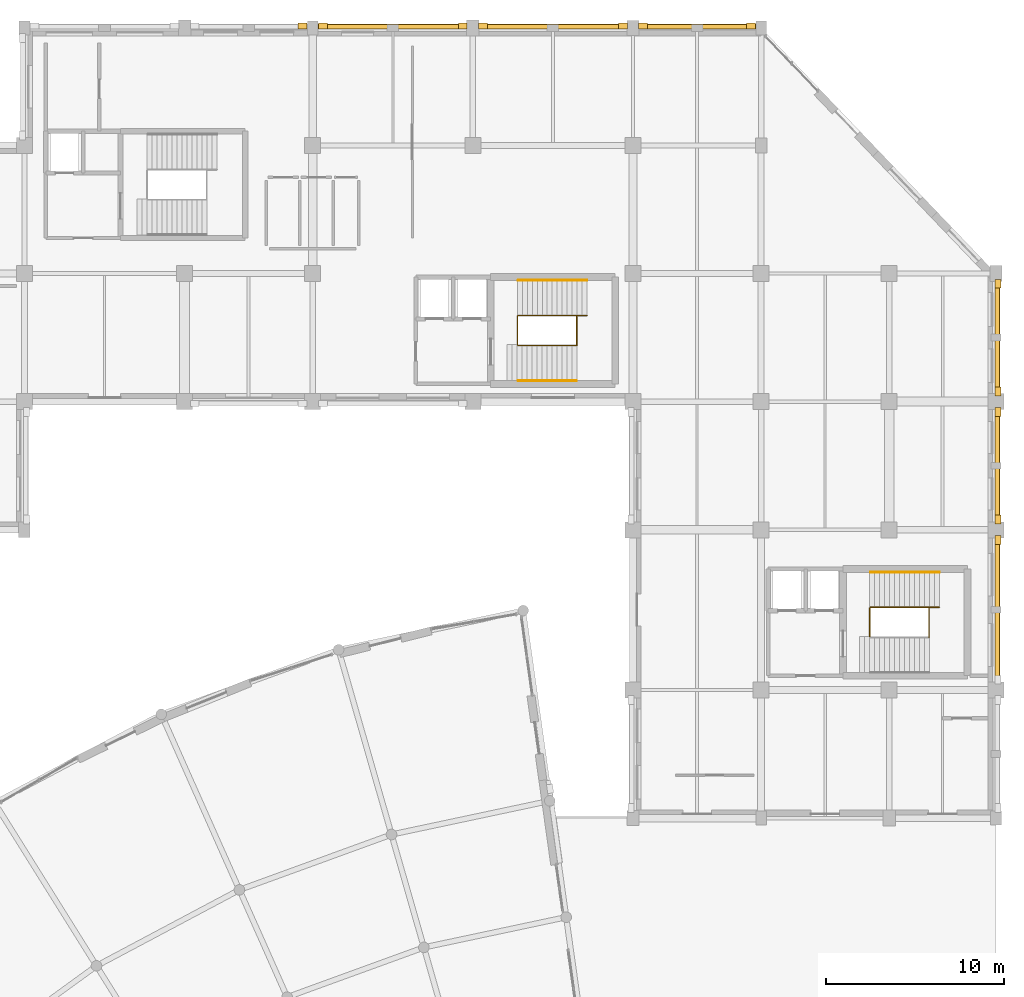
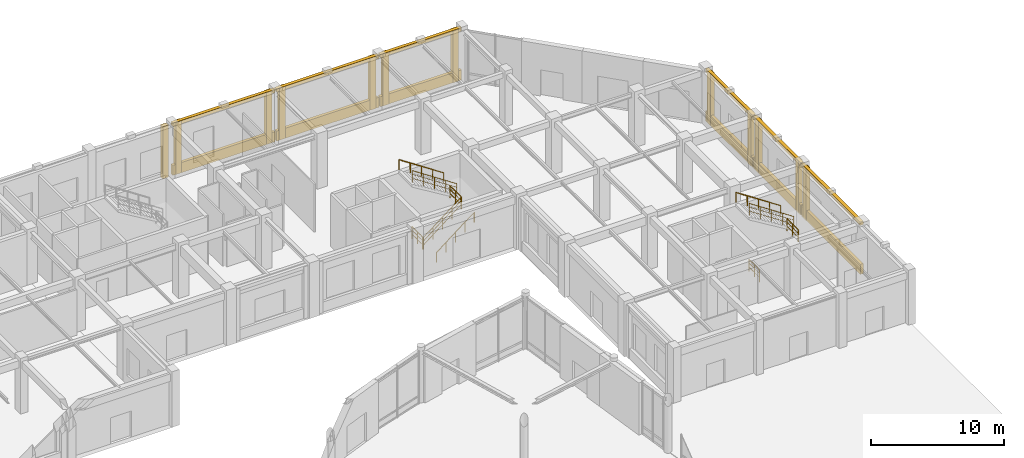
# One storey, part 64 of 64: 24 coverings, 10 railings.
"""IFC4 building model written with IfcOpenShell, lengths in metres."""

from ifc_helpers import new_model, si_unit, direction, frame, frame_2d, origin, origin_2d, place, context, subcontext, project, spatial, rectangle, circle, extrude, material, layer, layer_set, type_object, element, save


model = new_model("IFC4")

# Units and contexts
model_context = context("Model", 3, precision=1e-05, world=origin(), true_north=direction((0.0, 1.0)))
body_context = subcontext(model_context, "Body", "Model", "MODEL_VIEW")
ifc_project = project(units=[si_unit("LENGTHUNIT", "METRE"), si_unit("AREAUNIT", "SQUARE_METRE"), si_unit("VOLUMEUNIT", "CUBIC_METRE"), si_unit("PLANEANGLEUNIT", "RADIAN"), si_unit("MASSUNIT", "GRAM", prefix="KILO")], contexts=[model_context])

# Site, building, storey
site_placement = place(None, origin())
site = spatial("IfcSite", under=ifc_project, at=site_placement, CompositionType="ELEMENT")
building_placement = place(site_placement, origin())
building = spatial("IfcBuilding", under=site, at=building_placement, Name="Clarverna Civic Hall", CompositionType="ELEMENT")
storey_placement = place(building_placement, origin())
storey = spatial("IfcBuildingStorey", under=building, at=storey_placement, Name="L00", CompositionType="ELEMENT", Elevation=0.0)

# Coverings
ifc_material_1 = material(Name="Montjuic Buff Limestone Ashlar Cladding", Category="masonry")
ifc_layer = layer(ifc_material_1, 0.070068359375)
ifc_layer_set = layer_set([ifc_layer], Name="Montjuic Buff Limestone Ashlar Cladding")
covering_type = type_object("IfcCoveringType", Name="CV-CL2", PredefinedType="CLADDING", material=ifc_layer_set)
covering_1_placement = place(storey_placement, frame((128.780029296875, 116.110107421875, 0.0), z_axis=(0.0, 0.0, 1.0), x_axis=(1.0, 0.0, 0.0)))
element("IfcCovering", 1, at=covering_1_placement, inside=storey, type_object=covering_type, Name="CV-CL2-080", PredefinedType="CLADDING", context=body_context, shape_type="SweptSolid", body=[
    extrude(rectangle(XDim=0.5, YDim=0.340087890625, at=frame_2d((0.25, 0.0))), origin(), (0.0, 0.0, 1.0), 4.780029296875),
])
covering_2_placement = place(storey_placement, frame((129.659912109375, 116.080078125, 4.5), z_axis=(0.0, 0.0, 1.0), x_axis=(1.0, 0.0, 0.0)))
element("IfcCovering", 2, at=covering_2_placement, inside=storey, type_object=covering_type, Name="CV-CL2-081", PredefinedType="CLADDING", context=body_context, shape_type="SweptSolid", body=[
    extrude(rectangle(XDim=8.880126953125, YDim=0.280029296875, at=frame_2d((4.43994140625, 0.0))), origin(), (0.0, 0.0, 1.0), 0.300048828125),
])
covering_3_placement = place(storey_placement, frame((129.659912109375, 116.080078125, 0.0), z_axis=(0.0, 0.0, 1.0), x_axis=(1.0, 0.0, 0.0)))
element("IfcCovering", 3, at=covering_3_placement, inside=storey, type_object=covering_type, Name="CV-CL2-082", PredefinedType="CLADDING", context=body_context, shape_type="SweptSolid", body=[
    extrude(rectangle(XDim=8.880126953125, YDim=0.260009765625, at=frame_2d((4.43994140625, 0.0))), origin(), (0.0, 0.0, 1.0), 0.919921875),
])
for number, where, z_axis, x_axis, name in (
    (4, (129.919921875, 116.110107421875, 0.0), (0.0, 0.0, 1.0), (1.0, 0.0, 0.0), "CV-CL2-083"),
    (5, (137.780029296875, 116.110107421875, 0.0), (0.0, 0.0, 1.0), (1.0, 0.0, 0.0), "CV-CL2-084"),
):
    element("IfcCovering", number, at=place(storey_placement, frame(where, z_axis=z_axis, x_axis=x_axis)), inside=storey, type_object=covering_type, Name=name, PredefinedType="CLADDING", context=body_context, shape_type="SweptSolid", body=[
        extrude(rectangle(XDim=0.5, YDim=0.340087890625, at=frame_2d((0.25, 0.0))), origin(), (0.0, 0.0, 1.0), 4.780029296875),
    ])
covering_4_placement = place(storey_placement, frame((138.659912109375, 116.080078125, 4.5), z_axis=(0.0, 0.0, 1.0), x_axis=(1.0, 0.0, 0.0)))
element("IfcCovering", 6, at=covering_4_placement, inside=storey, type_object=covering_type, Name="CV-CL2-085", PredefinedType="CLADDING", context=body_context, shape_type="SweptSolid", body=[
    extrude(rectangle(XDim=8.880126953125, YDim=0.280029296875, at=frame_2d((4.43994140625, 0.0))), origin(), (0.0, 0.0, 1.0), 0.300048828125),
])
covering_5_placement = place(storey_placement, frame((138.659912109375, 116.080078125, 0.0), z_axis=(0.0, 0.0, 1.0), x_axis=(1.0, 0.0, 0.0)))
element("IfcCovering", 7, at=covering_5_placement, inside=storey, type_object=covering_type, Name="CV-CL2-086", PredefinedType="CLADDING", context=body_context, shape_type="SweptSolid", body=[
    extrude(rectangle(XDim=8.880126953125, YDim=0.260009765625, at=frame_2d((4.43994140625, 0.0))), origin(), (0.0, 0.0, 1.0), 0.919921875),
])
for number, where, z_axis, x_axis, name in (
    (8, (138.919921875, 116.110107421875, 0.0), (0.0, 0.0, 1.0), (1.0, 0.0, 0.0), "CV-CL2-087"),
    (9, (146.780029296875, 116.110107421875, 0.0), (0.0, 0.0, 1.0), (1.0, 0.0, 0.0), "CV-CL2-088"),
):
    element("IfcCovering", number, at=place(storey_placement, frame(where, z_axis=z_axis, x_axis=x_axis)), inside=storey, type_object=covering_type, Name=name, PredefinedType="CLADDING", context=body_context, shape_type="SweptSolid", body=[
        extrude(rectangle(XDim=0.5, YDim=0.340087890625, at=frame_2d((0.25, 0.0))), origin(), (0.0, 0.0, 1.0), 4.780029296875),
    ])
covering_6_placement = place(storey_placement, frame((147.659912109375, 116.080078125, 4.5), z_axis=(0.0, 0.0, 1.0), x_axis=(1.0, 0.0, 0.0)))
element("IfcCovering", 10, at=covering_6_placement, inside=storey, type_object=covering_type, Name="CV-CL2-089", PredefinedType="CLADDING", context=body_context, shape_type="SweptSolid", body=[
    extrude(rectangle(XDim=7.080078125, YDim=0.280029296875, at=frame_2d((3.5400390625, 0.0))), origin(), (0.0, 0.0, 1.0), 0.300048828125),
])
covering_7_placement = place(storey_placement, frame((147.659912109375, 116.080078125, 0.0), z_axis=(0.0, 0.0, 1.0), x_axis=(1.0, 0.0, 0.0)))
element("IfcCovering", 11, at=covering_7_placement, inside=storey, type_object=covering_type, Name="CV-CL2-090", PredefinedType="CLADDING", context=body_context, shape_type="SweptSolid", body=[
    extrude(rectangle(XDim=7.080078125, YDim=0.260009765625, at=frame_2d((3.5400390625, 0.0))), origin(), (0.0, 0.0, 1.0), 0.919921875),
])
for number, where, z_axis, x_axis, name in (
    (12, (147.919921875, 116.110107421875, 0.0), (0.0, 0.0, 1.0), (1.0, 0.0, 0.0), "CV-CL2-091"),
    (13, (153.97998046875, 116.110107421875, 0.0), (0.0, 0.0, 1.0), (1.0, 0.0, 0.0), "CV-CL2-092"),
):
    element("IfcCovering", number, at=place(storey_placement, frame(where, z_axis=z_axis, x_axis=x_axis)), inside=storey, type_object=covering_type, Name=name, PredefinedType="CLADDING", context=body_context, shape_type="SweptSolid", body=[
        extrude(rectangle(XDim=0.5, YDim=0.340087890625, at=frame_2d((0.25, 0.0))), origin(), (0.0, 0.0, 1.0), 4.780029296875),
    ])
covering_8_placement = place(storey_placement, frame((168.080078125, 102.139892578125, 4.5), z_axis=(0.0, 0.0, 1.0), x_axis=(0.0, -1.0, 0.0)))
element("IfcCovering", 14, at=covering_8_placement, inside=storey, type_object=covering_type, Name="CV-CL2-093", PredefinedType="CLADDING", context=body_context, shape_type="SweptSolid", body=[
    extrude(rectangle(XDim=7.079833984375, YDim=0.280029296875, at=frame_2d((3.5400390625, 0.0))), origin(), (0.0, 0.0, 1.0), 0.300048828125),
])
covering_9_placement = place(storey_placement, frame((168.080078125, 102.139892578125, 0.0), z_axis=(0.0, 0.0, 1.0), x_axis=(0.0, -1.0, 0.0)))
element("IfcCovering", 15, at=covering_9_placement, inside=storey, type_object=covering_type, Name="CV-CL2-094", PredefinedType="CLADDING", context=body_context, shape_type="SweptSolid", body=[
    extrude(rectangle(XDim=7.079833984375, YDim=0.260009765625, at=frame_2d((3.5400390625, 0.0))), origin(), (0.0, 0.0, 1.0), 0.919921875),
])
for number, where, z_axis, x_axis, name in (
    (16, (168.110107421875, 101.8798828125, 0.0), (0.0, 0.0, 1.0), (0.0, -1.0, 0.0), "CV-CL2-095"),
    (17, (168.110107421875, 95.820068359375, 0.0), (0.0, 0.0, 1.0), (0.0, -1.0, 0.0), "CV-CL2-096"),
):
    element("IfcCovering", number, at=place(storey_placement, frame(where, z_axis=z_axis, x_axis=x_axis)), inside=storey, type_object=covering_type, Name=name, PredefinedType="CLADDING", context=body_context, shape_type="SweptSolid", body=[
        extrude(rectangle(XDim=0.5, YDim=0.340087890625, at=frame_2d((0.25, 0.0))), origin(), (0.0, 0.0, 1.0), 4.780029296875),
    ])
covering_10_placement = place(storey_placement, frame((168.080078125, 94.93994140625, 4.5), z_axis=(0.0, 0.0, 1.0), x_axis=(0.0, -1.0, 0.0)))
element("IfcCovering", 18, at=covering_10_placement, inside=storey, type_object=covering_type, Name="CV-CL2-097", PredefinedType="CLADDING", context=body_context, shape_type="SweptSolid", body=[
    extrude(rectangle(XDim=7.079833984375, YDim=0.280029296875, at=frame_2d((3.5400390625, 0.0))), origin(), (0.0, 0.0, 1.0), 0.300048828125),
])
covering_11_placement = place(storey_placement, frame((168.080078125, 94.93994140625, 0.0), z_axis=(0.0, 0.0, 1.0), x_axis=(0.0, -1.0, 0.0)))
element("IfcCovering", 19, at=covering_11_placement, inside=storey, type_object=covering_type, Name="CV-CL2-098", PredefinedType="CLADDING", context=body_context, shape_type="SweptSolid", body=[
    extrude(rectangle(XDim=7.079833984375, YDim=0.260009765625, at=frame_2d((3.5400390625, 0.0))), origin(), (0.0, 0.0, 1.0), 0.919921875),
])
for number, where, z_axis, x_axis, name in (
    (20, (168.110107421875, 94.679931640625, 0.0), (0.0, 0.0, 1.0), (0.0, -1.0, 0.0), "CV-CL2-099"),
    (21, (168.110107421875, 88.6201171875, 0.0), (0.0, 0.0, 1.0), (0.0, -1.0, 0.0), "CV-CL2-100"),
):
    element("IfcCovering", number, at=place(storey_placement, frame(where, z_axis=z_axis, x_axis=x_axis)), inside=storey, type_object=covering_type, Name=name, PredefinedType="CLADDING", context=body_context, shape_type="SweptSolid", body=[
        extrude(rectangle(XDim=0.5, YDim=0.340087890625, at=frame_2d((0.25, 0.0))), origin(), (0.0, 0.0, 1.0), 4.780029296875),
    ])
covering_12_placement = place(storey_placement, frame((168.080078125, 87.739990234375, 4.5), z_axis=(0.0, 0.0, 1.0), x_axis=(0.0, -1.0, 0.0)))
element("IfcCovering", 22, at=covering_12_placement, inside=storey, type_object=covering_type, Name="CV-CL2-101", PredefinedType="CLADDING", context=body_context, shape_type="SweptSolid", body=[
    extrude(rectangle(XDim=8.8798828125, YDim=0.280029296875, at=frame_2d((4.43994140625, 0.0))), origin(), (0.0, 0.0, 1.0), 0.300048828125),
])
covering_13_placement = place(storey_placement, frame((168.080078125, 87.739990234375, 0.0), z_axis=(0.0, 0.0, 1.0), x_axis=(0.0, -1.0, 0.0)))
element("IfcCovering", 23, at=covering_13_placement, inside=storey, type_object=covering_type, Name="CV-CL2-102", PredefinedType="CLADDING", context=body_context, shape_type="SweptSolid", body=[
    extrude(rectangle(XDim=8.8798828125, YDim=0.260009765625, at=frame_2d((4.43994140625, 0.0))), origin(), (0.0, 0.0, 1.0), 0.919921875),
])
covering_14_placement = place(storey_placement, frame((168.110107421875, 87.47998046875, 0.0), z_axis=(0.0, 0.0, 1.0), x_axis=(0.0, -1.0, 0.0)))
element("IfcCovering", 24, at=covering_14_placement, inside=storey, type_object=covering_type, Name="CV-CL2-103", PredefinedType="CLADDING", context=body_context, shape_type="SweptSolid", body=[
    extrude(rectangle(XDim=0.5, YDim=0.340087890625, at=frame_2d((0.25, 0.0))), origin(), (0.0, 0.0, 1.0), 4.780029296875),
])

# Railings
ifc_material_2 = material(Name="Anodised Bronze Architectural Balustrade")
railing_type_1 = type_object("IfcRailingType", Name="GR-02", PredefinedType="BALUSTRADE", material=ifc_material_2)
railing_1_placement = place(storey_placement, frame((141.14990234375, 98.159912109375, 0.0)))
element("IfcRailing", 25, at=railing_1_placement, inside=storey, type_object=railing_type_1, Name="GR-02-007", PredefinedType="BALUSTRADE", context=body_context, shape_type="SweptSolid", body=[
    extrude(circle(Radius=0.02392578125, at=origin_2d()), frame((0.0, 0.0, 1.09619140625), z_axis=(0.789942972042, 0.0, 0.613180316809), x_axis=(0.0, 1.0, 0.0)), (0.0, 0.0, 1.0), 4.15869140625),
    extrude(circle(Radius=0.011962890625, at=origin_2d()), frame((0.0, 0.0, 0.39208984375), z_axis=(0.789942972042, 0.0, 0.613180316809), x_axis=(0.0, 1.0, 0.0)), (0.0, 0.0, 1.0), 4.15869140625),
    extrude(circle(Radius=0.011962890625, at=origin_2d()), frame((0.0, 0.0, 0.76171875), z_axis=(0.789942972042, 0.0, 0.613180316809), x_axis=(0.0, 1.0, 0.0)), (0.0, 0.0, 1.0), 4.15869140625),
    extrude(circle(Radius=0.02099609375, at=origin_2d()), origin(), (0.0, 0.0, 1.0), 1.072021484375),
    extrude(circle(Radius=0.02099609375, at=origin_2d()), frame((0.8212890625, 0.0, 0.637451171875)), (0.0, 0.0, 1.0), 1.072021484375),
    extrude(circle(Radius=0.02099609375, at=origin_2d()), frame((1.642578125, 0.0, 1.27490234375)), (0.0, 0.0, 1.0), 1.072021484375),
    extrude(circle(Radius=0.02099609375, at=origin_2d()), frame((2.4638671875, 0.0, 1.91259765625)), (0.0, 0.0, 1.0), 1.072021484375),
    extrude(circle(Radius=0.02099609375, at=origin_2d()), frame((3.28515625, 0.0, 2.550048828125)), (0.0, 0.0, 1.0), 1.072021484375),
])
railing_2_placement = place(storey_placement, frame((144.43505859375, 98.159912109375, 2.550048828125)))
element("IfcRailing", 26, at=railing_2_placement, inside=storey, type_object=railing_type_1, Name="GR-02-008", PredefinedType="BALUSTRADE", context=body_context, shape_type="SweptSolid", body=[
    extrude(circle(Radius=0.02392578125, at=origin_2d()), frame((0.0, 0.0, 1.09619140625), z_axis=(0.0, 1.0, 0.0), x_axis=(-1.0, 0.0, 0.0)), (0.0, 0.0, 1.0), 1.68017578125),
    extrude(circle(Radius=0.011962890625, at=origin_2d()), frame((0.0, 0.0, 0.39208984375), z_axis=(0.0, 1.0, 0.0), x_axis=(-1.0, 0.0, 0.0)), (0.0, 0.0, 1.0), 1.68017578125),
    extrude(circle(Radius=0.011962890625, at=origin_2d()), frame((0.0, 0.0, 0.76171875), z_axis=(0.0, 1.0, 0.0), x_axis=(-1.0, 0.0, 0.0)), (0.0, 0.0, 1.0), 1.68017578125),
    extrude(circle(Radius=0.02099609375, at=origin_2d()), origin(), (0.0, 0.0, 1.0), 1.072021484375),
    extrude(circle(Radius=0.02099609375, at=origin_2d()), frame((0.0, 0.840087890625, 0.0)), (0.0, 0.0, 1.0), 1.072021484375),
    extrude(circle(Radius=0.02099609375, at=origin_2d()), frame((0.0, 1.68017578125, 0.0)), (0.0, 0.0, 1.0), 1.072021484375),
])
railing_3_placement = place(storey_placement, frame((145.0048828125, 99.840087890625, 2.550048828125)))
element("IfcRailing", 27, at=railing_3_placement, inside=storey, type_object=railing_type_1, Name="GR-02-009", PredefinedType="BALUSTRADE", context=body_context, shape_type="SweptSolid", body=[
    extrude(circle(Radius=0.02392578125, at=origin_2d()), frame((0.0, 0.0, 1.09619140625), z_axis=(-0.834035861889, 0.0, 0.551710232896), x_axis=(0.0, -1.0, 0.0)), (0.0, 0.0, 1.0), 4.6220703125),
    extrude(circle(Radius=0.011962890625, at=origin_2d()), frame((0.0, 0.0, 0.39208984375), z_axis=(-0.834035861889, 0.0, 0.551710232896), x_axis=(0.0, -1.0, 0.0)), (0.0, 0.0, 1.0), 4.6220703125),
    extrude(circle(Radius=0.011962890625, at=origin_2d()), frame((0.0, 0.0, 0.76171875), z_axis=(-0.834035861889, 0.0, 0.551710232896), x_axis=(0.0, -1.0, 0.0)), (0.0, 0.0, 1.0), 4.6220703125),
    extrude(circle(Radius=0.02099609375, at=origin_2d()), origin(), (0.0, 0.0, 1.0), 1.072021484375),
    extrude(circle(Radius=0.02099609375, at=origin_2d()), frame((-0.9638671875, 0.0, 0.637451171875)), (0.0, 0.0, 1.0), 1.072021484375),
    extrude(circle(Radius=0.02099609375, at=origin_2d()), frame((-1.927490234375, 0.0, 1.27490234375)), (0.0, 0.0, 1.0), 1.072021484375),
    extrude(circle(Radius=0.02099609375, at=origin_2d()), frame((-2.89111328125, 0.0, 1.91259765625)), (0.0, 0.0, 1.0), 1.072021484375),
    extrude(circle(Radius=0.02099609375, at=origin_2d()), frame((-3.85498046875, 0.0, 2.550048828125)), (0.0, 0.0, 1.0), 1.072021484375),
])
railing_4_placement = place(storey_placement, frame((141.110107421875, 98.199951171875, 0.0)))
element("IfcRailing", 28, at=railing_4_placement, inside=storey, type_object=railing_type_1, Name="GR-02-010", PredefinedType="BALUSTRADE", context=body_context, shape_type="SweptSolid", body=[
    extrude(circle(Radius=0.02392578125, at=origin_2d()), frame((0.0, 0.0, 1.09619140625), z_axis=(0.0, 1.0, 0.0), x_axis=(-1.0, 0.0, 0.0)), (0.0, 0.0, 1.0), 1.60009765625),
    extrude(circle(Radius=0.011962890625, at=origin_2d()), frame((0.0, 0.0, 0.39208984375), z_axis=(0.0, 1.0, 0.0), x_axis=(-1.0, 0.0, 0.0)), (0.0, 0.0, 1.0), 1.60009765625),
    extrude(circle(Radius=0.011962890625, at=origin_2d()), frame((0.0, 0.0, 0.76171875), z_axis=(0.0, 1.0, 0.0), x_axis=(-1.0, 0.0, 0.0)), (0.0, 0.0, 1.0), 1.60009765625),
    extrude(circle(Radius=0.02099609375, at=origin_2d()), origin(), (0.0, 0.0, 1.0), 1.072021484375),
    extrude(circle(Radius=0.02099609375, at=origin_2d()), frame((0.0, 0.800048828125, 0.0)), (0.0, 0.0, 1.0), 1.072021484375),
    extrude(circle(Radius=0.02099609375, at=origin_2d()), frame((0.0, 1.60009765625, 0.0)), (0.0, 0.0, 1.0), 1.072021484375),
])
railing_5_placement = place(storey_placement, frame((164.235107421875, 81.760009765625, 2.550048828125)))
element("IfcRailing", 29, at=railing_5_placement, inside=storey, type_object=railing_type_1, Name="GR-02-040", PredefinedType="BALUSTRADE", context=body_context, shape_type="SweptSolid", body=[
    extrude(circle(Radius=0.02392578125, at=origin_2d()), frame((0.0, 0.0, 1.09619140625), z_axis=(0.0, 1.0, 0.0), x_axis=(-1.0, 0.0, 0.0)), (0.0, 0.0, 1.0), 1.679931640625),
    extrude(circle(Radius=0.011962890625, at=origin_2d()), frame((0.0, 0.0, 0.39208984375), z_axis=(0.0, 1.0, 0.0), x_axis=(-1.0, 0.0, 0.0)), (0.0, 0.0, 1.0), 1.679931640625),
    extrude(circle(Radius=0.011962890625, at=origin_2d()), frame((0.0, 0.0, 0.76171875), z_axis=(0.0, 1.0, 0.0), x_axis=(-1.0, 0.0, 0.0)), (0.0, 0.0, 1.0), 1.679931640625),
    extrude(circle(Radius=0.02099609375, at=origin_2d()), origin(), (0.0, 0.0, 1.0), 1.072021484375),
    extrude(circle(Radius=0.02099609375, at=origin_2d()), frame((0.0, 0.83984375, 0.0)), (0.0, 0.0, 1.0), 1.072021484375),
    extrude(circle(Radius=0.02099609375, at=origin_2d()), frame((0.0, 1.679931640625, 0.0)), (0.0, 0.0, 1.0), 1.072021484375),
])
railing_6_placement = place(storey_placement, frame((164.804931640625, 83.43994140625, 2.550048828125)))
element("IfcRailing", 30, at=railing_6_placement, inside=storey, type_object=railing_type_1, Name="GR-02-041", PredefinedType="BALUSTRADE", context=body_context, shape_type="SweptSolid", body=[
    extrude(circle(Radius=0.02392578125, at=origin_2d()), frame((0.0, 0.0, 1.09619140625), z_axis=(-0.834035861889, 0.0, 0.551710232896), x_axis=(0.0, -1.0, 0.0)), (0.0, 0.0, 1.0), 4.6220703125),
    extrude(circle(Radius=0.011962890625, at=origin_2d()), frame((0.0, 0.0, 0.39208984375), z_axis=(-0.834035861889, 0.0, 0.551710232896), x_axis=(0.0, -1.0, 0.0)), (0.0, 0.0, 1.0), 4.6220703125),
    extrude(circle(Radius=0.011962890625, at=origin_2d()), frame((0.0, 0.0, 0.76171875), z_axis=(-0.834035861889, 0.0, 0.551710232896), x_axis=(0.0, -1.0, 0.0)), (0.0, 0.0, 1.0), 4.6220703125),
    extrude(circle(Radius=0.02099609375, at=origin_2d()), origin(), (0.0, 0.0, 1.0), 1.072021484375),
    extrude(circle(Radius=0.02099609375, at=origin_2d()), frame((-0.9638671875, 0.0, 0.637451171875)), (0.0, 0.0, 1.0), 1.072021484375),
    extrude(circle(Radius=0.02099609375, at=origin_2d()), frame((-1.927490234375, 0.0, 1.27490234375)), (0.0, 0.0, 1.0), 1.072021484375),
    extrude(circle(Radius=0.02099609375, at=origin_2d()), frame((-2.89111328125, 0.0, 1.91259765625)), (0.0, 0.0, 1.0), 1.072021484375),
    extrude(circle(Radius=0.02099609375, at=origin_2d()), frame((-3.85498046875, 0.0, 2.550048828125)), (0.0, 0.0, 1.0), 1.072021484375),
])
railing_7_placement = place(storey_placement, frame((160.909912109375, 81.800048828125, 0.0)))
element("IfcRailing", 31, at=railing_7_placement, inside=storey, type_object=railing_type_1, Name="GR-02-042", PredefinedType="BALUSTRADE", context=body_context, shape_type="SweptSolid", body=[
    extrude(circle(Radius=0.02392578125, at=origin_2d()), frame((0.0, 0.0, 1.09619140625), z_axis=(0.0, 1.0, 0.0), x_axis=(-1.0, 0.0, 0.0)), (0.0, 0.0, 1.0), 1.599853515625),
    extrude(circle(Radius=0.011962890625, at=origin_2d()), frame((0.0, 0.0, 0.39208984375), z_axis=(0.0, 1.0, 0.0), x_axis=(-1.0, 0.0, 0.0)), (0.0, 0.0, 1.0), 1.599853515625),
    extrude(circle(Radius=0.011962890625, at=origin_2d()), frame((0.0, 0.0, 0.76171875), z_axis=(0.0, 1.0, 0.0), x_axis=(-1.0, 0.0, 0.0)), (0.0, 0.0, 1.0), 1.599853515625),
    extrude(circle(Radius=0.02099609375, at=origin_2d()), origin(), (0.0, 0.0, 1.0), 1.072021484375),
    extrude(circle(Radius=0.02099609375, at=origin_2d()), frame((0.0, 0.7998046875, 0.0)), (0.0, 0.0, 1.0), 1.072021484375),
    extrude(circle(Radius=0.02099609375, at=origin_2d()), frame((0.0, 1.599853515625, 0.0)), (0.0, 0.0, 1.0), 1.072021484375),
])
ifc_material_3 = material(Name="Anodised Bronze Continuous Handrail")
railing_type_2 = type_object("IfcRailingType", Name="HR-01", PredefinedType="HANDRAIL", material=ifc_material_3)
railing_8_placement = place(storey_placement, frame((141.14990234375, 96.179931640625, 0.0)))
element("IfcRailing", 32, at=railing_8_placement, inside=storey, type_object=railing_type_2, Name="HR-01-003", PredefinedType="HANDRAIL", context=body_context, shape_type="SweptSolid", body=[
    extrude(circle(Radius=0.02392578125, at=origin_2d()), frame((0.0, 0.0, 0.89599609375), z_axis=(0.788568541041, 0.0, 0.614946872568), x_axis=(0.0, 1.0, 0.0)), (0.0, 0.0, 1.0), 4.146728515625),
    extrude(circle(Radius=0.02099609375, at=origin_2d()), origin(), (0.0, 0.0, 1.0), 0.871826171875),
    extrude(circle(Radius=0.02099609375, at=origin_2d()), frame((0.8173828125, 0.0, 0.637451171875)), (0.0, 0.0, 1.0), 0.871826171875),
    extrude(circle(Radius=0.02099609375, at=origin_2d()), frame((1.635009765625, 0.0, 1.27490234375)), (0.0, 0.0, 1.0), 0.871826171875),
    extrude(circle(Radius=0.02099609375, at=origin_2d()), frame((2.45263671875, 0.0, 1.91259765625)), (0.0, 0.0, 1.0), 0.871826171875),
    extrude(circle(Radius=0.02099609375, at=origin_2d()), frame((3.27001953125, 0.0, 2.550048828125)), (0.0, 0.0, 1.0), 0.871826171875),
])
for number, where, name in (
    (33, (145.02001953125, 101.820068359375, 2.550048828125), "HR-01-004"),
    (34, (164.820068359375, 85.419921875, 2.550048828125), "HR-01-020"),
):
    element("IfcRailing", number, at=place(storey_placement, frame(where)), inside=storey, type_object=railing_type_2, Name=name, PredefinedType="HANDRAIL", context=body_context, shape_type="SweptSolid", body=[
        extrude(circle(Radius=0.02392578125, at=origin_2d()), frame((0.0, 0.0, 0.89599609375), z_axis=(-0.83502861022, 0.0, 0.550206524965), x_axis=(0.0, -1.0, 0.0)), (0.0, 0.0, 1.0), 4.634765625),
        extrude(circle(Radius=0.02099609375, at=origin_2d()), origin(), (0.0, 0.0, 1.0), 0.871826171875),
        extrude(circle(Radius=0.02099609375, at=origin_2d()), frame((-0.967529296875, 0.0, 0.637451171875)), (0.0, 0.0, 1.0), 0.871826171875),
        extrude(circle(Radius=0.02099609375, at=origin_2d()), frame((-1.93505859375, 0.0, 1.27490234375)), (0.0, 0.0, 1.0), 0.871826171875),
        extrude(circle(Radius=0.02099609375, at=origin_2d()), frame((-2.902587890625, 0.0, 1.91259765625)), (0.0, 0.0, 1.0), 0.871826171875),
        extrude(circle(Radius=0.02099609375, at=origin_2d()), frame((-3.8701171875, 0.0, 2.550048828125)), (0.0, 0.0, 1.0), 0.871826171875),
    ])

save(model, "model.ifc")
